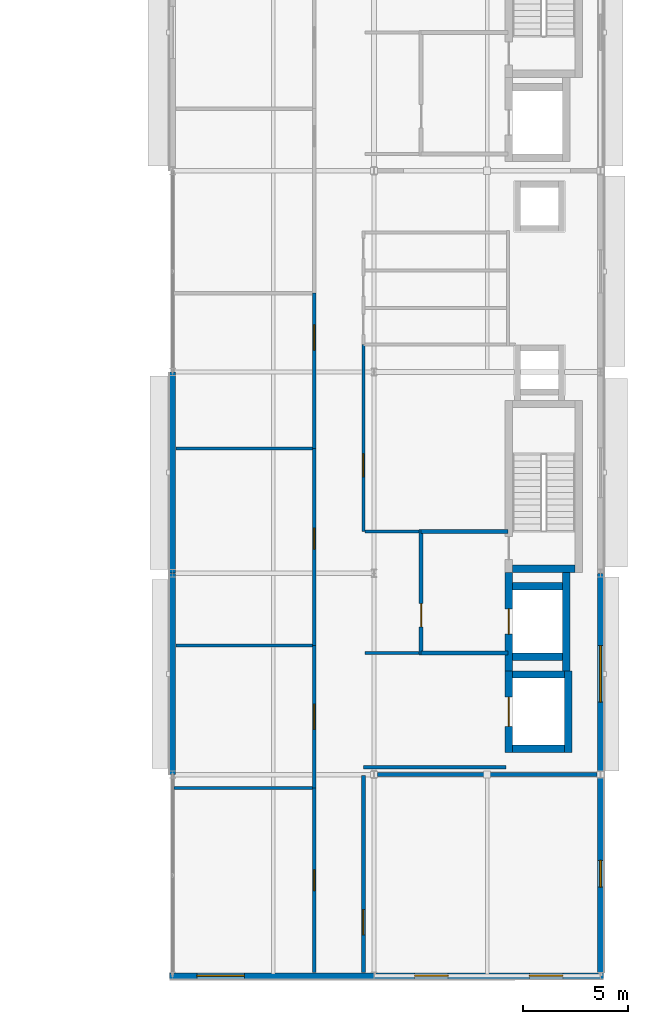
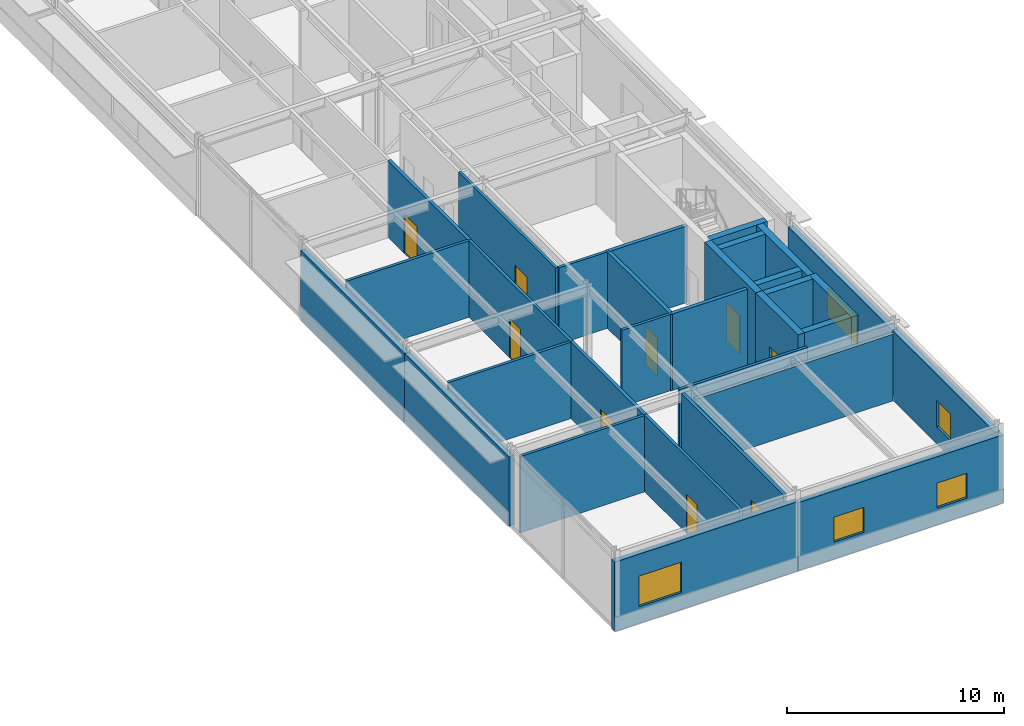
# One storey, part 15 of 22: 31 walls, 9 doors, 5 windows, 14 openings.
"""IFC4 building model written with IfcOpenShell, lengths in metres."""

from ifc_helpers import new_model, si_unit, direction, frame, frame_2d, origin, place, context, subcontext, project, spatial, rectangle, extrude, material, layer, layer_set, type_object, element, fill, save


model = new_model("IFC4")

# Units and contexts
model_context = context("Model", 3, precision=1e-05, world=origin(), true_north=direction((0.0, 1.0)))
body_context = subcontext(model_context, "Body", "Model", "MODEL_VIEW")
ifc_project = project(units=[si_unit("LENGTHUNIT", "METRE"), si_unit("AREAUNIT", "SQUARE_METRE"), si_unit("VOLUMEUNIT", "CUBIC_METRE"), si_unit("PLANEANGLEUNIT", "RADIAN"), si_unit("MASSUNIT", "GRAM", prefix="KILO")], contexts=[model_context])

# Site, building, storey
site_placement = place(None, origin())
site = spatial("IfcSite", under=ifc_project, at=site_placement, CompositionType="ELEMENT")
building_placement = place(site_placement, origin())
building = spatial("IfcBuilding", under=site, at=building_placement, Name="Almandine Court Research Institute", CompositionType="ELEMENT")
storey_placement = place(building_placement, frame((0.0, 0.0, 28.0)))
storey = spatial("IfcBuildingStorey", under=building, at=storey_placement, Name="L06", CompositionType="ELEMENT", Elevation=28.0)

# Walls
ifc_material_1 = material(Name="Insulated Ochre Terracotta Rainscreen Wall", Category="masonry")
ifc_layer_1 = layer(ifc_material_1, 0.2900390625)
ifc_layer_set_1 = layer_set([ifc_layer_1], Name="Insulated Ochre Terracotta Rainscreen Wall")
wall_type_1 = type_object("IfcWallType", Name="Wall-EXT-TERR-290", PredefinedType="SOLIDWALL", material=ifc_layer_set_1)
wall_1_placement = place(storey_placement, frame((153.60009765625, 15.60400390625, 0.0), z_axis=(0.0, 0.0, 1.0), x_axis=(0.0, 1.0, 0.0)))
element("IfcWall", 1, at=wall_1_placement, inside=storey, type_object=wall_type_1, Name="L06 Wet Lab West Facade Wall 2", PredefinedType="SOLIDWALL", context=body_context, shape_type="SweptSolid", body=[
    extrude(rectangle(XDim=9.592041015625, YDim=0.2900390625, at=frame_2d((4.7958984375, 0.0))), origin(), (0.0, 0.0, 1.0), 3.907958984375),
])
wall_2_placement = place(storey_placement, frame((153.60009765625, 25.2041015625, 0.0), z_axis=(0.0, 0.0, 1.0), x_axis=(0.0, 1.0, 0.0)))
element("IfcWall", 2, at=wall_2_placement, inside=storey, type_object=wall_type_1, Name="L06 Wet Lab West Facade Wall 3", PredefinedType="SOLIDWALL", context=body_context, shape_type="SweptSolid", body=[
    extrude(rectangle(XDim=9.591796875, YDim=0.2900390625, at=frame_2d((4.7958984375, 0.0))), origin(), (0.0, 0.0, 1.0), 3.907958984375),
])

# Wall, opening, window
wall_3_placement = place(storey_placement, frame((174.0, 25.196044921875, 0.0), z_axis=(0.0, 0.0, 1.0), x_axis=(0.0, -1.0, 0.0)))
wall_3 = element("IfcWall", 3, at=wall_3_placement, inside=storey, type_object=wall_type_1, Name="L06 Wet Lab East Facade Wall 2", PredefinedType="SOLIDWALL", context=body_context, shape_type="SweptSolid", body=[
    extrude(rectangle(XDim=9.592041015625, YDim=0.2900390625, at=frame_2d((4.7958984375, 0.0))), origin(), (0.0, 0.0, 1.0), 3.89892578125),
])
opening_1_placement = place(wall_3_placement, frame((3.446044921875, 0.0, 0.949951171875)))
opening_1 = element("IfcOpeningElement", 4, at=opening_1_placement, cuts=wall_3, Name="Opening WN-80", PredefinedType="OPENING", context=body_context, shape_type="SweptSolid", body=[
    extrude(rectangle(XDim=2.699951171875, YDim=1.56005859375, at=frame_2d((1.35009765625, 0.780029296875))), frame((0.0, 0.155029296875, 0.0), z_axis=(0.0, -1.0, 0.0), x_axis=(1.0, 0.0, 0.0)), (0.0, 0.0, 1.0), 0.31005859375),
])
ifc_material_2 = material(Name="Thermally Broken Low-E Double-Glazed Window", Category="glass")
window_type_1 = type_object("IfcWindowType", Name="Win-WN-80-2700x1560", PartitioningType="SINGLE_PANEL", PredefinedType="WINDOW", material=ifc_material_2)
window_1_placement = place(opening_1_placement, origin())
window_1 = element("IfcWindow", 5, at=window_1_placement, inside=storey, type_object=window_type_1, Name="L06 Modular Recessed Low-E Window 165", OverallHeight=1.56005859375, OverallWidth=2.699951171875, PartitioningType="SINGLE_PANEL", PredefinedType="WINDOW", context=body_context, shape_type="SweptSolid", body=[
    extrude(rectangle(XDim=2.699951171875, YDim=1.56005859375, at=frame_2d((1.35009765625, 0.780029296875))), frame((0.0, 0.030029296875, 0.0), z_axis=(0.0, -1.0, 0.0), x_axis=(1.0, 0.0, 0.0)), (0.0, 0.0, 1.0), 0.06005859375),
])
fill(opening_1, window_1)

wall_4_placement = place(storey_placement, frame((174.0, 15.595947265625, 0.0), z_axis=(0.0, 0.0, 1.0), x_axis=(0.0, -1.0, 0.0)))
wall_4 = element("IfcWall", 6, at=wall_4_placement, inside=storey, type_object=wall_type_1, Name="L06 Wet Lab East Facade Wall 1", PredefinedType="SOLIDWALL", context=body_context, shape_type="SweptSolid", body=[
    extrude(rectangle(XDim=9.447021484375, YDim=0.2900390625, at=frame_2d((4.7236328125, 0.0))), origin(), (0.0, 0.0, 1.0), 3.89892578125),
])
opening_2_placement = place(wall_4_placement, frame((4.087890625, 0.0, 0.949951171875)))
opening_2 = element("IfcOpeningElement", 7, at=opening_2_placement, cuts=wall_4, Name="Opening WN-81", PredefinedType="OPENING", context=body_context, shape_type="SweptSolid", body=[
    extrude(rectangle(XDim=1.27001953125, YDim=1.47998046875, at=frame_2d((0.635009765625, 0.739990234375))), frame((0.0, 0.155029296875, 0.0), z_axis=(0.0, -1.0, 0.0), x_axis=(1.0, 0.0, 0.0)), (0.0, 0.0, 1.0), 0.31005859375),
])
window_type_2 = type_object("IfcWindowType", Name="Win-WN-81-1270x1480", PartitioningType="SINGLE_PANEL", PredefinedType="WINDOW", material=ifc_material_2)
window_2_placement = place(opening_2_placement, origin())
window_2 = element("IfcWindow", 8, at=window_2_placement, inside=storey, type_object=window_type_2, Name="L06 Modular Recessed Low-E Window 166", OverallHeight=1.47998046875, OverallWidth=1.27001953125, PartitioningType="SINGLE_PANEL", PredefinedType="WINDOW", context=body_context, shape_type="SweptSolid", body=[
    extrude(rectangle(XDim=1.27001953125, YDim=1.47998046875, at=frame_2d((0.635009765625, 0.739990234375))), frame((0.0, 0.030029296875, 0.0), z_axis=(0.0, -1.0, 0.0), x_axis=(1.0, 0.0, 0.0)), (0.0, 0.0, 1.0), 0.06005859375),
])
fill(opening_2, window_2)

# Wall, openings, windows
wall_5_placement = place(storey_placement, frame((174.14501953125, 6.0, 0.0), z_axis=(0.0, 0.0, 1.0), x_axis=(-1.0, 0.0, 0.0)))
wall_5 = element("IfcWall", 9, at=wall_5_placement, inside=storey, type_object=wall_type_1, Name="L06 Wet Lab South Wall 1", PredefinedType="SOLIDWALL", context=body_context, shape_type="SweptSolid", body=[
    extrude(rectangle(XDim=10.94091796875, YDim=0.2900390625, at=frame_2d((5.470458984375, 0.0))), origin(), (0.0, 0.0, 1.0), 3.8291015625),
])
opening_3_placement = place(wall_5_placement, frame((1.93505859375, 0.0, 0.949951171875)))
opening_3 = element("IfcOpeningElement", 10, at=opening_3_placement, cuts=wall_5, Name="Opening WN-06", PredefinedType="OPENING", context=body_context, shape_type="SweptSolid", body=[
    extrude(rectangle(XDim=1.60009765625, YDim=1.39990234375, at=frame_2d((0.800048828125, 0.699951171875))), frame((0.0, 0.155029296875, 0.0), z_axis=(0.0, -1.0, 0.0), x_axis=(1.0, 0.0, 0.0)), (0.0, 0.0, 1.0), 0.31005859375),
])
opening_4_placement = place(wall_5_placement, frame((7.406005859375, 0.0, 0.949951171875)))
opening_4 = element("IfcOpeningElement", 11, at=opening_4_placement, cuts=wall_5, Name="Opening WN-06", PredefinedType="OPENING", context=body_context, shape_type="SweptSolid", body=[
    extrude(rectangle(XDim=1.60009765625, YDim=1.39990234375, at=frame_2d((0.800048828125, 0.699951171875))), frame((0.0, 0.155029296875, 0.0), z_axis=(0.0, -1.0, 0.0), x_axis=(1.0, 0.0, 0.0)), (0.0, 0.0, 1.0), 0.31005859375),
])
window_type_3 = type_object("IfcWindowType", Name="Win-WN-06-1600x1400", PartitioningType="SINGLE_PANEL", PredefinedType="WINDOW", material=ifc_material_2)
window_3_placement = place(opening_3_placement, origin())
window_3 = element("IfcWindow", 12, at=window_3_placement, inside=storey, type_object=window_type_3, Name="L06 Modular Recessed Low-E Window 167", OverallHeight=1.39990234375, OverallWidth=1.60009765625, PartitioningType="SINGLE_PANEL", PredefinedType="WINDOW", context=body_context, shape_type="SweptSolid", body=[
    extrude(rectangle(XDim=1.60009765625, YDim=1.39990234375, at=frame_2d((0.800048828125, 0.699951171875))), frame((0.0, 0.030029296875, 0.0), z_axis=(0.0, -1.0, 0.0), x_axis=(1.0, 0.0, 0.0)), (0.0, 0.0, 1.0), 0.06005859375),
])
fill(opening_3, window_3)
window_4_placement = place(opening_4_placement, origin())
window_4 = element("IfcWindow", 13, at=window_4_placement, inside=storey, type_object=window_type_3, Name="L06 Modular Recessed Low-E Window 168", OverallHeight=1.39990234375, OverallWidth=1.60009765625, PartitioningType="SINGLE_PANEL", PredefinedType="WINDOW", context=body_context, shape_type="SweptSolid", body=[
    extrude(rectangle(XDim=1.60009765625, YDim=1.39990234375, at=frame_2d((0.800048828125, 0.699951171875))), frame((0.0, 0.030029296875, 0.0), z_axis=(0.0, -1.0, 0.0), x_axis=(1.0, 0.0, 0.0)), (0.0, 0.0, 1.0), 0.06005859375),
])
fill(opening_4, window_4)

# Wall, opening, window
wall_6_placement = place(storey_placement, frame((163.196044921875, 6.0, 0.0), z_axis=(0.0, 0.0, 1.0), x_axis=(-1.0, 0.0, 0.0)))
wall_6 = element("IfcWall", 14, at=wall_6_placement, inside=storey, type_object=wall_type_1, Name="L06 Wet Lab South Wall 2", PredefinedType="SOLIDWALL", context=body_context, shape_type="SweptSolid", body=[
    extrude(rectangle(XDim=9.740966796875, YDim=0.2900390625, at=frame_2d((4.87060546875, 0.0))), origin(), (0.0, 0.0, 1.0), 3.89892578125),
])
opening_5_placement = place(wall_6_placement, frame((6.176025390625, 0.0, 0.949951171875)))
opening_5 = element("IfcOpeningElement", 15, at=opening_5_placement, cuts=wall_6, Name="Opening WN-07", PredefinedType="OPENING", context=body_context, shape_type="SweptSolid", body=[
    extrude(rectangle(XDim=2.260009765625, YDim=1.719970703125, at=frame_2d((1.1298828125, 0.85986328125))), frame((0.0, 0.155029296875, 0.0), z_axis=(0.0, -1.0, 0.0), x_axis=(1.0, 0.0, 0.0)), (0.0, 0.0, 1.0), 0.31005859375),
])
window_type_4 = type_object("IfcWindowType", Name="Win-WN-07-2260x1720", PartitioningType="SINGLE_PANEL", PredefinedType="WINDOW", material=ifc_material_2)
window_5_placement = place(opening_5_placement, origin())
window_5 = element("IfcWindow", 16, at=window_5_placement, inside=storey, type_object=window_type_4, Name="L06 Modular Recessed Low-E Window 169", OverallHeight=1.719970703125, OverallWidth=2.260009765625, PartitioningType="SINGLE_PANEL", PredefinedType="WINDOW", context=body_context, shape_type="SweptSolid", body=[
    extrude(rectangle(XDim=2.260009765625, YDim=1.719970703125, at=frame_2d((1.1298828125, 0.85986328125))), frame((0.0, 0.030029296875, 0.0), z_axis=(0.0, -1.0, 0.0), x_axis=(1.0, 0.0, 0.0)), (0.0, 0.0, 1.0), 0.06005859375),
])
fill(opening_5, window_5)

# Wall, opening, door
ifc_material_3 = material(Name="One-Hour Fire-Rated Laboratory Partition")
ifc_layer_2 = layer(ifc_material_3, 0.175048828125)
ifc_layer_set_2 = layer_set([ifc_layer_2], Name="One-Hour Fire-Rated Laboratory Partition")
wall_type_2 = type_object("IfcWallType", Name="Wall-FIRE-175", PredefinedType="PARTITIONING", material=ifc_layer_set_2)
wall_7_placement = place(storey_placement, frame((160.35009765625, 14.9599609375, 0.0), z_axis=(0.0, 0.0, 1.0), x_axis=(0.0, 1.0, 0.0)))
wall_7 = element("IfcWall", 17, at=wall_7_placement, inside=storey, type_object=wall_type_2, Name="L06 Interior Partition W-V4-L06-WW-1", PredefinedType="PARTITIONING", context=body_context, shape_type="SweptSolid", body=[
    extrude(rectangle(XDim=6.800048828125, YDim=0.175048828125, at=frame_2d((3.39990234375, 0.0))), origin(), (0.0, 0.0, 1.0), 4.300048828125),
])
opening_6_placement = place(wall_7_placement, frame((2.800048828125, 0.0, 0.0)))
opening_6 = element("IfcOpeningElement", 18, at=opening_6_placement, cuts=wall_7, Name="Opening FD-LAB", PredefinedType="OPENING", context=body_context, shape_type="SweptSolid", body=[
    extrude(rectangle(XDim=1.199951171875, YDim=2.199951171875, at=frame_2d((0.60009765625, 1.10009765625))), frame((0.0, 0.097412109375, 0.0), z_axis=(0.0, -1.0, 0.0), x_axis=(1.0, 0.0, 0.0)), (0.0, 0.0, 1.0), 0.195068359375),
])
ifc_material_4 = material(Name="Fire-Rated Laboratory Containment Door")
door_type_1 = type_object("IfcDoorType", Name="Door-FD-LAB-1200", OperationType="NOTDEFINED", PredefinedType="DOOR", material=ifc_material_4)
door_1_placement = place(opening_6_placement, origin())
door_1 = element("IfcDoor", 19, at=door_1_placement, inside=storey, type_object=door_type_1, Name="L06 Wet Chemistry Laboratory Door", OperationType="SINGLE_SWING_RIGHT", OverallHeight=2.199951171875, OverallWidth=1.199951171875, PredefinedType="DOOR", context=body_context, shape_type="SweptSolid", body=[
    extrude(rectangle(XDim=1.199951171875, YDim=2.199951171875, at=frame_2d((0.60009765625, 1.10009765625))), frame((0.0, 0.02490234375, 0.0), z_axis=(0.0, -1.0, 0.0), x_axis=(1.0, 0.0, 0.0)), (0.0, 0.0, 1.0), 0.050048828125),
])
fill(opening_6, door_1)

wall_8_placement = place(storey_placement, frame((160.35009765625, 31.159912109375, 0.0), z_axis=(0.0, 0.0, 1.0), x_axis=(0.0, 1.0, 0.0)))
wall_8 = element("IfcWall", 20, at=wall_8_placement, inside=storey, type_object=wall_type_2, Name="L06 Interior Partition W-V4-L06-WW-3", PredefinedType="PARTITIONING", context=body_context, shape_type="SweptSolid", body=[
    extrude(rectangle(XDim=7.400146484375, YDim=0.175048828125, at=frame_2d((3.7001953125, 0.0))), origin(), (0.0, 0.0, 1.0), 4.300048828125),
])
opening_7_placement = place(wall_8_placement, frame((4.68994140625, 0.0, 0.0)))
opening_7 = element("IfcOpeningElement", 21, at=opening_7_placement, cuts=wall_8, Name="Opening FD-LAB", PredefinedType="OPENING", context=body_context, shape_type="SweptSolid", body=[
    extrude(rectangle(XDim=1.199951171875, YDim=2.199951171875, at=frame_2d((0.60009765625, 1.10009765625))), frame((0.0, 0.097412109375, 0.0), z_axis=(0.0, -1.0, 0.0), x_axis=(1.0, 0.0, 0.0)), (0.0, 0.0, 1.0), 0.195068359375),
])
door_2_placement = place(opening_7_placement, origin())
door_2 = element("IfcDoor", 22, at=door_2_placement, inside=storey, type_object=door_type_1, Name="L06 Biosciences BSL-2 Laboratory Door", OperationType="SINGLE_SWING_RIGHT", OverallHeight=2.199951171875, OverallWidth=1.199951171875, PredefinedType="DOOR", context=body_context, shape_type="SweptSolid", body=[
    extrude(rectangle(XDim=1.199951171875, YDim=2.199951171875, at=frame_2d((0.60009765625, 1.10009765625))), frame((0.0, 0.02490234375, 0.0), z_axis=(0.0, -1.0, 0.0), x_axis=(1.0, 0.0, 0.0)), (0.0, 0.0, 1.0), 0.050048828125),
])
fill(opening_7, door_2)

wall_9_placement = place(storey_placement, frame((162.699951171875, 6.159912109375, 0.0), z_axis=(0.0, 0.0, 1.0), x_axis=(0.0, 1.0, 0.0)))
wall_9 = element("IfcWall", 23, at=wall_9_placement, inside=storey, type_object=wall_type_2, Name="L06 Interior Partition W-V4-L06-EW-S", PredefinedType="PARTITIONING", context=body_context, shape_type="SweptSolid", body=[
    extrude(rectangle(XDim=9.39013671875, YDim=0.175048828125, at=frame_2d((4.695068359375, 0.0))), origin(), (0.0, 0.0, 1.0), 4.300048828125),
])
opening_8_placement = place(wall_9_placement, frame((1.800048828125, 0.0, 0.0)))
opening_8 = element("IfcOpeningElement", 24, at=opening_8_placement, cuts=wall_9, Name="Opening FD-LAB", PredefinedType="OPENING", context=body_context, shape_type="SweptSolid", body=[
    extrude(rectangle(XDim=1.199951171875, YDim=2.199951171875, at=frame_2d((0.60009765625, 1.10009765625))), frame((0.0, 0.097412109375, 0.0), z_axis=(0.0, -1.0, 0.0), x_axis=(1.0, 0.0, 0.0)), (0.0, 0.0, 1.0), 0.195068359375),
])
door_3_placement = place(opening_8_placement, origin())
door_3 = element("IfcDoor", 25, at=door_3_placement, inside=storey, type_object=door_type_1, Name="L06 Analytical Lab Door", OperationType="SINGLE_SWING_RIGHT", OverallHeight=2.199951171875, OverallWidth=1.199951171875, PredefinedType="DOOR", context=body_context, shape_type="SweptSolid", body=[
    extrude(rectangle(XDim=1.199951171875, YDim=2.199951171875, at=frame_2d((0.60009765625, 1.10009765625))), frame((0.0, 0.02490234375, 0.0), z_axis=(0.0, -1.0, 0.0), x_axis=(1.0, 0.0, 0.0)), (0.0, 0.0, 1.0), 0.050048828125),
])
fill(opening_8, door_3)

# Wall
ifc_material_5 = material(Name="Two-Hour Fire-Barrier Enclosure Wall")
ifc_layer_3 = layer(ifc_material_5, 0.199951171875)
ifc_layer_set_3 = layer_set([ifc_layer_3], Name="Two-Hour Fire-Barrier Enclosure Wall")
wall_type_3 = type_object("IfcWallType", Name="Wall-FIRE-200", PredefinedType="SOLIDWALL", material=ifc_layer_set_3)
wall_10_placement = place(storey_placement, frame((163.360107421875, 15.60009765625, 0.0), z_axis=(0.0, 0.0, 1.0), x_axis=(1.0, 0.0, 0.0)))
element("IfcWall", 26, at=wall_10_placement, inside=storey, type_object=wall_type_3, Name="L06 Interior Partition W-BF-V4-BF1-L06", PredefinedType="SOLIDWALL", context=body_context, shape_type="SweptSolid", body=[
    extrude(rectangle(XDim=10.47998046875, YDim=0.199951171875, at=frame_2d((5.239990234375, 0.0))), origin(), (0.0, 0.0, 1.0), 3.7529296875),
])

# Wall, opening, door
wall_11_placement = place(storey_placement, frame((165.449951171875, 21.300048828125, 0.0), z_axis=(0.0, 0.0, 1.0), x_axis=(0.0, 1.0, 0.0)))
wall_11 = element("IfcWall", 27, at=wall_11_placement, inside=storey, type_object=wall_type_3, Name="L06 Interior Partition W-FFL1-L06-W", PredefinedType="SOLIDWALL", context=body_context, shape_type="SweptSolid", body=[
    extrude(rectangle(XDim=6.0, YDim=0.199951171875, at=frame_2d((3.0, 0.0))), origin(), (0.0, 0.0, 1.0), 4.300048828125),
])
opening_9_placement = place(wall_11_placement, frame((1.35009765625, 0.0, 0.0)))
opening_9 = element("IfcOpeningElement", 28, at=opening_9_placement, cuts=wall_11, Name="Opening FD-FFL", PredefinedType="OPENING", context=body_context, shape_type="SweptSolid", body=[
    extrude(rectangle(XDim=1.10009765625, YDim=2.14990234375, at=frame_2d((0.550048828125, 1.074951171875))), frame((0.0, 0.10986328125, 0.0), z_axis=(0.0, -1.0, 0.0), x_axis=(1.0, 0.0, 0.0)), (0.0, 0.0, 1.0), 0.219970703125),
])
ifc_material_6 = material(Name="Smoke-Tight Firefighting Lobby Fire Door")
door_type_2 = type_object("IfcDoorType", Name="Door-FD-FFL-1100", OperationType="NOTDEFINED", PredefinedType="DOOR", material=ifc_material_6)
door_4_placement = place(opening_9_placement, origin())
door_4 = element("IfcDoor", 29, at=door_4_placement, inside=storey, type_object=door_type_2, Name="L06 Firefighting Lobby Fire Door 1", OperationType="SINGLE_SWING_RIGHT", OverallHeight=2.14990234375, OverallWidth=1.10009765625, PredefinedType="DOOR", context=body_context, shape_type="SweptSolid", body=[
    extrude(rectangle(XDim=1.10009765625, YDim=2.14990234375, at=frame_2d((0.550048828125, 1.074951171875))), frame((0.0, 0.02490234375, 0.0), z_axis=(0.0, -1.0, 0.0), x_axis=(1.0, 0.0, 0.0)), (0.0, 0.0, 1.0), 0.050048828125),
])
fill(opening_9, door_4)

# Walls
for number, where, z_axis, x_axis, name in (
    (30, (165.449951171875, 21.39990234375, 0.0), (0.0, 0.0, 1.0), (1.0, 0.0, 0.0), "L06 Interior Partition W-FFL1-L06-S"),
    (31, (165.449951171875, 27.199951171875, 0.0), (0.0, 0.0, 1.0), (1.0, 0.0, 0.0), "L06 Interior Partition W-FFL1-L06-N"),
):
    element("IfcWall", number, at=place(storey_placement, frame(where, z_axis=z_axis, x_axis=x_axis)), inside=storey, type_object=wall_type_3, Name=name, PredefinedType="SOLIDWALL", context=body_context, shape_type="SweptSolid", body=[
        extrude(rectangle(XDim=4.150146484375, YDim=0.199951171875, at=frame_2d((2.0751953125, 0.0))), origin(), (0.0, 0.0, 1.0), 4.300048828125),
    ])

# Wall, opening, door
ifc_material_7 = material(Name="Acoustic Steel-Stud Gypsum Partition Wall", Category="steel")
ifc_layer_4 = layer(ifc_material_7, 0.14990234375)
ifc_layer_set_4 = layer_set([ifc_layer_4], Name="Acoustic Steel-Stud Gypsum Partition Wall")
wall_type_4 = type_object("IfcWallType", Name="Wall-PART-150", PredefinedType="PARTITIONING", material=ifc_layer_set_4)
wall_12_placement = place(storey_placement, frame((160.35009765625, 6.159912109375, 0.0), z_axis=(0.0, 0.0, 1.0), x_axis=(0.0, 1.0, 0.0)))
wall_12 = element("IfcWall", 32, at=wall_12_placement, inside=storey, type_object=wall_type_4, Name="L06 Interior Partition W-V4-L06-WW-0", PredefinedType="PARTITIONING", context=body_context, shape_type="SweptSolid", body=[
    extrude(rectangle(XDim=8.800048828125, YDim=0.14990234375, at=frame_2d((4.39990234375, 0.0))), origin(), (0.0, 0.0, 1.0), 4.300048828125),
])
opening_10_placement = place(wall_12_placement, frame((3.89990234375, 0.0, 0.0)))
opening_10 = element("IfcOpeningElement", 33, at=opening_10_placement, cuts=wall_12, Name="Opening D-02", PredefinedType="OPENING", context=body_context, shape_type="SweptSolid", body=[
    extrude(rectangle(XDim=1.0, YDim=2.199951171875, at=frame_2d((0.5, 1.10009765625))), frame((0.0, 0.0849609375, 0.0), z_axis=(0.0, -1.0, 0.0), x_axis=(1.0, 0.0, 0.0)), (0.0, 0.0, 1.0), 0.169921875),
])
ifc_material_8 = material(Name="Solid-Core Timber Researcher Office Door", Category="wood")
door_type_3 = type_object("IfcDoorType", Name="Door-INT-1000", OperationType="NOTDEFINED", PredefinedType="DOOR", material=ifc_material_8)
door_5_placement = place(opening_10_placement, origin())
door_5 = element("IfcDoor", 34, at=door_5_placement, inside=storey, type_object=door_type_3, Name="L06 Write-up Office Door", OperationType="SINGLE_SWING_LEFT", OverallHeight=2.199951171875, OverallWidth=1.0, PredefinedType="DOOR", context=body_context, shape_type="SweptSolid", body=[
    extrude(rectangle(XDim=1.0, YDim=2.199951171875, at=frame_2d((0.5, 1.10009765625))), frame((0.0, 0.02490234375, 0.0), z_axis=(0.0, -1.0, 0.0), x_axis=(1.0, 0.0, 0.0)), (0.0, 0.0, 1.0), 0.050048828125),
])
fill(opening_10, door_5)

# Walls
wall_13_placement = place(storey_placement, frame((153.659912109375, 14.9599609375, 0.0), z_axis=(0.0, 0.0, 1.0), x_axis=(1.0, 0.0, 0.0)))
element("IfcWall", 35, at=wall_13_placement, inside=storey, type_object=wall_type_4, Name="L06 Interior Partition W-V4-L06-WDIV-0", PredefinedType="PARTITIONING", context=body_context, shape_type="SweptSolid", body=[
    extrude(rectangle(XDim=6.610107421875, YDim=0.14990234375, at=frame_2d((3.30517578125, 0.0))), origin(), (0.0, 0.0, 1.0), 4.300048828125),
])
wall_14_placement = place(storey_placement, frame((153.760009765625, 21.760009765625, 0.0), z_axis=(0.0, 0.0, 1.0), x_axis=(1.0, 0.0, 0.0)))
element("IfcWall", 36, at=wall_14_placement, inside=storey, type_object=wall_type_4, Name="L06 Interior Partition W-V4-L06-WDIV-1", PredefinedType="PARTITIONING", context=body_context, shape_type="SweptSolid", body=[
    extrude(rectangle(XDim=6.510009765625, YDim=0.14990234375, at=frame_2d((3.2548828125, 0.0))), origin(), (0.0, 0.0, 1.0), 4.300048828125),
])

# Wall, opening, door
wall_15_placement = place(storey_placement, frame((160.35009765625, 21.760009765625, 0.0), z_axis=(0.0, 0.0, 1.0), x_axis=(0.0, 1.0, 0.0)))
wall_15 = element("IfcWall", 37, at=wall_15_placement, inside=storey, type_object=wall_type_4, Name="L06 Interior Partition W-V4-L06-WW-2", PredefinedType="PARTITIONING", context=body_context, shape_type="SweptSolid", body=[
    extrude(rectangle(XDim=9.39990234375, YDim=0.14990234375, at=frame_2d((4.699951171875, 0.0))), origin(), (0.0, 0.0, 1.0), 4.300048828125),
])
opening_11_placement = place(wall_15_placement, frame((4.590087890625, 0.0, 0.0)))
opening_11 = element("IfcOpeningElement", 38, at=opening_11_placement, cuts=wall_15, Name="Opening D-02", PredefinedType="OPENING", context=body_context, shape_type="SweptSolid", body=[
    extrude(rectangle(XDim=1.0, YDim=2.199951171875, at=frame_2d((0.5, 1.10009765625))), frame((0.0, 0.0849609375, 0.0), z_axis=(0.0, -1.0, 0.0), x_axis=(1.0, 0.0, 0.0)), (0.0, 0.0, 1.0), 0.169921875),
])
door_6_placement = place(opening_11_placement, origin())
door_6 = element("IfcDoor", 39, at=door_6_placement, inside=storey, type_object=door_type_3, Name="L06 Faculty Study Door", OperationType="SINGLE_SWING_LEFT", OverallHeight=2.199951171875, OverallWidth=1.0, PredefinedType="DOOR", context=body_context, shape_type="SweptSolid", body=[
    extrude(rectangle(XDim=1.0, YDim=2.199951171875, at=frame_2d((0.5, 1.10009765625))), frame((0.0, 0.02490234375, 0.0), z_axis=(0.0, -1.0, 0.0), x_axis=(1.0, 0.0, 0.0)), (0.0, 0.0, 1.0), 0.050048828125),
])
fill(opening_11, door_6)

# Walls
wall_16_placement = place(storey_placement, frame((153.760009765625, 31.159912109375, 0.0), z_axis=(0.0, 0.0, 1.0), x_axis=(1.0, 0.0, 0.0)))
element("IfcWall", 40, at=wall_16_placement, inside=storey, type_object=wall_type_4, Name="L06 Interior Partition W-V4-L06-WDIV-2", PredefinedType="PARTITIONING", context=body_context, shape_type="SweptSolid", body=[
    extrude(rectangle(XDim=6.510009765625, YDim=0.14990234375, at=frame_2d((3.2548828125, 0.0))), origin(), (0.0, 0.0, 1.0), 4.300048828125),
])
wall_17_placement = place(storey_placement, frame((162.780029296875, 27.199951171875, 0.0), z_axis=(0.0, 0.0, 1.0), x_axis=(1.0, 0.0, 0.0)))
element("IfcWall", 41, at=wall_17_placement, inside=storey, type_object=wall_type_4, Name="L06 Interior Partition W-V4-L06-SPEC-S", PredefinedType="PARTITIONING", context=body_context, shape_type="SweptSolid", body=[
    extrude(rectangle(XDim=2.570068359375, YDim=0.14990234375, at=frame_2d((1.28515625, 0.0))), origin(), (0.0, 0.0, 1.0), 4.300048828125),
])

# Wall, opening, door
wall_18_placement = place(storey_placement, frame((162.699951171875, 27.199951171875, 0.0), z_axis=(0.0, 0.0, 1.0), x_axis=(0.0, 1.0, 0.0)))
wall_18 = element("IfcWall", 42, at=wall_18_placement, inside=storey, type_object=wall_type_4, Name="L06 Interior Partition W-V4-L06-EW-M", PredefinedType="PARTITIONING", context=body_context, shape_type="SweptSolid", body=[
    extrude(rectangle(XDim=8.920166015625, YDim=0.14990234375, at=frame_2d((4.4599609375, 0.0))), origin(), (0.0, 0.0, 1.0), 4.300048828125),
])
opening_12_placement = place(wall_18_placement, frame((2.60009765625, 0.0, 0.0)))
opening_12 = element("IfcOpeningElement", 43, at=opening_12_placement, cuts=wall_18, Name="Opening D-03", PredefinedType="OPENING", context=body_context, shape_type="SweptSolid", body=[
    extrude(rectangle(XDim=1.10009765625, YDim=2.199951171875, at=frame_2d((0.550048828125, 1.10009765625))), frame((0.0, 0.0849609375, 0.0), z_axis=(0.0, -1.0, 0.0), x_axis=(1.0, 0.0, 0.0)), (0.0, 0.0, 1.0), 0.169921875),
])
ifc_material_9 = material(Name="Acoustic Vision-Panel Seminar Door")
door_type_4 = type_object("IfcDoorType", Name="Door-INT-1100", OperationType="NOTDEFINED", PredefinedType="DOOR", material=ifc_material_9)
door_7_placement = place(opening_12_placement, origin())
door_7 = element("IfcDoor", 44, at=door_7_placement, inside=storey, type_object=door_type_4, Name="L06 Spectroscopy Suite Door", OperationType="SINGLE_SWING_LEFT", OverallHeight=2.199951171875, OverallWidth=1.10009765625, PredefinedType="DOOR", context=body_context, shape_type="SweptSolid", body=[
    extrude(rectangle(XDim=1.10009765625, YDim=2.199951171875, at=frame_2d((0.550048828125, 1.10009765625))), frame((0.0, 0.02490234375, 0.0), z_axis=(0.0, -1.0, 0.0), x_axis=(1.0, 0.0, 0.0)), (0.0, 0.0, 1.0), 0.050048828125),
])
fill(opening_12, door_7)

# Walls
wall_19_placement = place(storey_placement, frame((162.780029296875, 21.39990234375, 0.0), z_axis=(0.0, 0.0, 1.0), x_axis=(1.0, 0.0, 0.0)))
element("IfcWall", 45, at=wall_19_placement, inside=storey, type_object=wall_type_4, Name="L06 Interior Partition W-V4-L06-FFL1-CS", PredefinedType="PARTITIONING", context=body_context, shape_type="SweptSolid", body=[
    extrude(rectangle(XDim=2.570068359375, YDim=0.14990234375, at=frame_2d((1.28515625, 0.0))), origin(), (0.0, 0.0, 1.0), 4.300048828125),
])
wall_20_placement = place(storey_placement, frame((162.699951171875, 15.949951171875, 0.0), z_axis=(0.0, 0.0, 1.0), x_axis=(1.0, 0.0, 0.0)))
element("IfcWall", 46, at=wall_20_placement, inside=storey, type_object=wall_type_4, Name="L06 Interior Partition W-V4-L06-GL1-CS", PredefinedType="PARTITIONING", context=body_context, shape_type="SweptSolid", body=[
    extrude(rectangle(XDim=6.800048828125, YDim=0.14990234375, at=frame_2d((3.39990234375, 0.0))), origin(), (0.0, 0.0, 1.0), 4.300048828125),
])
ifc_material_10 = material(Name="Concrete C40/50", Category="concrete")
ifc_layer_5 = layer(ifc_material_10, 0.35009765625)
ifc_layer_set_5 = layer_set([ifc_layer_5], Name="Concrete C40/50")
wall_type_5 = type_object("IfcWallType", Name="Wall-SW-CORE-350", PredefinedType="SHEAR", material=ifc_layer_set_5)
wall_21_placement = place(storey_placement, frame((172.800048828125, 25.425048828125, 0.0), z_axis=(0.0, 0.0, 1.0), x_axis=(-1.0, 0.0, 0.0)))
element("IfcWall", 47, at=wall_21_placement, inside=storey, type_object=wall_type_5, Name="L06 ST-07 S Shear Wall", PredefinedType="SHEAR", context=body_context, shape_type="SweptSolid", body=[
    extrude(rectangle(XDim=3.0, YDim=0.35009765625, at=frame_2d((1.5, 0.0))), origin(), (0.0, 0.0, 1.0), 4.550048828125),
])

# Wall, opening, door
wall_22_placement = place(storey_placement, frame((169.625, 20.550048828125, 0.0), z_axis=(0.0, 0.0, 1.0), x_axis=(0.0, 1.0, 0.0)))
wall_22 = element("IfcWall", 48, at=wall_22_placement, inside=storey, type_object=wall_type_5, Name="L06 FL-01 Hoistway W Shear Wall", PredefinedType="SHEAR", context=body_context, shape_type="SweptSolid", body=[
    extrude(rectangle(XDim=4.699951171875, YDim=0.35009765625, at=frame_2d((2.35009765625, 0.0))), origin(), (0.0, 0.0, 1.0), 4.550048828125),
])
opening_13_placement = place(wall_22_placement, frame((1.75, 0.0, 0.0)))
opening_13 = element("IfcOpeningElement", 49, at=opening_13_placement, cuts=wall_22, Name="Opening LD-02", PredefinedType="OPENING", context=body_context, shape_type="SweptSolid", body=[
    extrude(rectangle(XDim=1.199951171875, YDim=2.14990234375, at=frame_2d((0.60009765625, 1.074951171875))), frame((0.0, 0.18505859375, 0.0), z_axis=(0.0, -1.0, 0.0), x_axis=(1.0, 0.0, 0.0)), (0.0, 0.0, 1.0), 0.3701171875),
])
ifc_material_11 = material(Name="Firefighting Lift Landing Sliding Door")
door_type_5 = type_object("IfcDoorType", Name="Door-LD-FSAE-1200", OperationType="SLIDING_TO_LEFT", PredefinedType="USERDEFINED", material=ifc_material_11)
door_8_placement = place(opening_13_placement, origin())
door_8 = element("IfcDoor", 50, at=door_8_placement, inside=storey, type_object=door_type_5, Name="L06 Firefighting Lift FL-01 Sliding Landing Door", ObjectType="LANDING DOOR", OperationType="SLIDING_TO_LEFT", OverallHeight=2.14990234375, OverallWidth=1.199951171875, PredefinedType="USERDEFINED", context=body_context, shape_type="SweptSolid", body=[
    extrude(rectangle(XDim=1.199951171875, YDim=2.14990234375, at=frame_2d((0.60009765625, 1.074951171875))), frame((0.0, 0.02490234375, 0.0), z_axis=(0.0, -1.0, 0.0), x_axis=(1.0, 0.0, 0.0)), (0.0, 0.0, 1.0), 0.050048828125),
])
fill(opening_13, door_8)

# Walls
wall_23_placement = place(storey_placement, frame((169.800048828125, 24.574951171875, 0.0), z_axis=(0.0, 0.0, 1.0), x_axis=(1.0, 0.0, 0.0)))
element("IfcWall", 51, at=wall_23_placement, inside=storey, type_object=wall_type_5, Name="L06 FL-01 Hoistway N Shear Wall", PredefinedType="SHEAR", context=body_context, shape_type="SweptSolid", body=[
    extrude(rectangle(XDim=2.39990234375, YDim=0.35009765625, at=frame_2d((1.199951171875, 0.0))), origin(), (0.0, 0.0, 1.0), 4.550048828125),
])
wall_24_placement = place(storey_placement, frame((172.375, 25.25, 0.0), z_axis=(0.0, 0.0, 1.0), x_axis=(0.0, -1.0, 0.0)))
element("IfcWall", 52, at=wall_24_placement, inside=storey, type_object=wall_type_5, Name="L06 FL-01 Hoistway E Shear Wall", PredefinedType="SHEAR", context=body_context, shape_type="SweptSolid", body=[
    extrude(rectangle(XDim=4.699951171875, YDim=0.35009765625, at=frame_2d((2.35009765625, 0.0))), origin(), (0.0, 0.0, 1.0), 4.550048828125),
])
wall_25_placement = place(storey_placement, frame((172.199951171875, 21.22509765625, 0.0), z_axis=(0.0, 0.0, 1.0), x_axis=(-1.0, 0.0, 0.0)))
element("IfcWall", 53, at=wall_25_placement, inside=storey, type_object=wall_type_5, Name="L06 FL-01 Hoistway S Shear Wall", PredefinedType="SHEAR", context=body_context, shape_type="SweptSolid", body=[
    extrude(rectangle(XDim=2.39990234375, YDim=0.35009765625, at=frame_2d((1.199951171875, 0.0))), origin(), (0.0, 0.0, 1.0), 4.550048828125),
])

# Wall, opening, door
wall_26_placement = place(storey_placement, frame((169.625, 16.64990234375, 0.0), z_axis=(0.0, 0.0, 1.0), x_axis=(0.0, 1.0, 0.0)))
wall_26 = element("IfcWall", 54, at=wall_26_placement, inside=storey, type_object=wall_type_5, Name="L06 GL-01 Hoistway W Shear Wall", PredefinedType="SHEAR", context=body_context, shape_type="SweptSolid", body=[
    extrude(rectangle(XDim=3.900146484375, YDim=0.35009765625, at=frame_2d((1.9501953125, 0.0))), origin(), (0.0, 0.0, 1.0), 4.550048828125),
])
opening_14_placement = place(wall_26_placement, frame((1.25, 0.0, 0.0)))
opening_14 = element("IfcOpeningElement", 55, at=opening_14_placement, cuts=wall_26, Name="Opening LD-03", PredefinedType="OPENING", context=body_context, shape_type="SweptSolid", body=[
    extrude(rectangle(XDim=1.39990234375, YDim=2.300048828125, at=frame_2d((0.699951171875, 1.14990234375))), frame((0.0, 0.18505859375, 0.0), z_axis=(0.0, -1.0, 0.0), x_axis=(1.0, 0.0, 0.0)), (0.0, 0.0, 1.0), 0.3701171875),
])
ifc_material_12 = material(Name="Heavy Goods Lift Landing Sliding Door")
door_type_6 = type_object("IfcDoorType", Name="Door-LD-GOOD-1400", OperationType="SLIDING_TO_LEFT", PredefinedType="USERDEFINED", material=ifc_material_12)
door_9_placement = place(opening_14_placement, origin())
door_9 = element("IfcDoor", 56, at=door_9_placement, inside=storey, type_object=door_type_6, Name="L06 Wet Laboratory Goods Lift GL-01 Sliding Landing Door", ObjectType="LANDING DOOR", OperationType="SLIDING_TO_LEFT", OverallHeight=2.300048828125, OverallWidth=1.39990234375, PredefinedType="USERDEFINED", context=body_context, shape_type="SweptSolid", body=[
    extrude(rectangle(XDim=1.39990234375, YDim=2.300048828125, at=frame_2d((0.699951171875, 1.14990234375))), frame((0.0, 0.02490234375, 0.0), z_axis=(0.0, -1.0, 0.0), x_axis=(1.0, 0.0, 0.0)), (0.0, 0.0, 1.0), 0.050048828125),
])
fill(opening_14, door_9)

# Walls
wall_27_placement = place(storey_placement, frame((169.800048828125, 20.375, 0.0), z_axis=(0.0, 0.0, 1.0), x_axis=(1.0, 0.0, 0.0)))
element("IfcWall", 57, at=wall_27_placement, inside=storey, type_object=wall_type_5, Name="L06 GL-01 Hoistway N Shear Wall", PredefinedType="SHEAR", context=body_context, shape_type="SweptSolid", body=[
    extrude(rectangle(XDim=2.5, YDim=0.35009765625, at=frame_2d((1.25, 0.0))), origin(), (0.0, 0.0, 1.0), 4.550048828125),
])
wall_28_placement = place(storey_placement, frame((172.47509765625, 20.550048828125, 0.0), z_axis=(0.0, 0.0, 1.0), x_axis=(0.0, -1.0, 0.0)))
element("IfcWall", 58, at=wall_28_placement, inside=storey, type_object=wall_type_5, Name="L06 GL-01 Hoistway E Shear Wall", PredefinedType="SHEAR", context=body_context, shape_type="SweptSolid", body=[
    extrude(rectangle(XDim=3.900146484375, YDim=0.35009765625, at=frame_2d((1.9501953125, 0.0))), origin(), (0.0, 0.0, 1.0), 4.550048828125),
])
wall_29_placement = place(storey_placement, frame((172.300048828125, 16.824951171875, 0.0), z_axis=(0.0, 0.0, 1.0), x_axis=(-1.0, 0.0, 0.0)))
element("IfcWall", 59, at=wall_29_placement, inside=storey, type_object=wall_type_5, Name="L06 GL-01 Hoistway S Shear Wall", PredefinedType="SHEAR", context=body_context, shape_type="SweptSolid", body=[
    extrude(rectangle(XDim=2.5, YDim=0.35009765625, at=frame_2d((1.25, 0.0))), origin(), (0.0, 0.0, 1.0), 4.550048828125),
])

save(model, "model.ifc")
